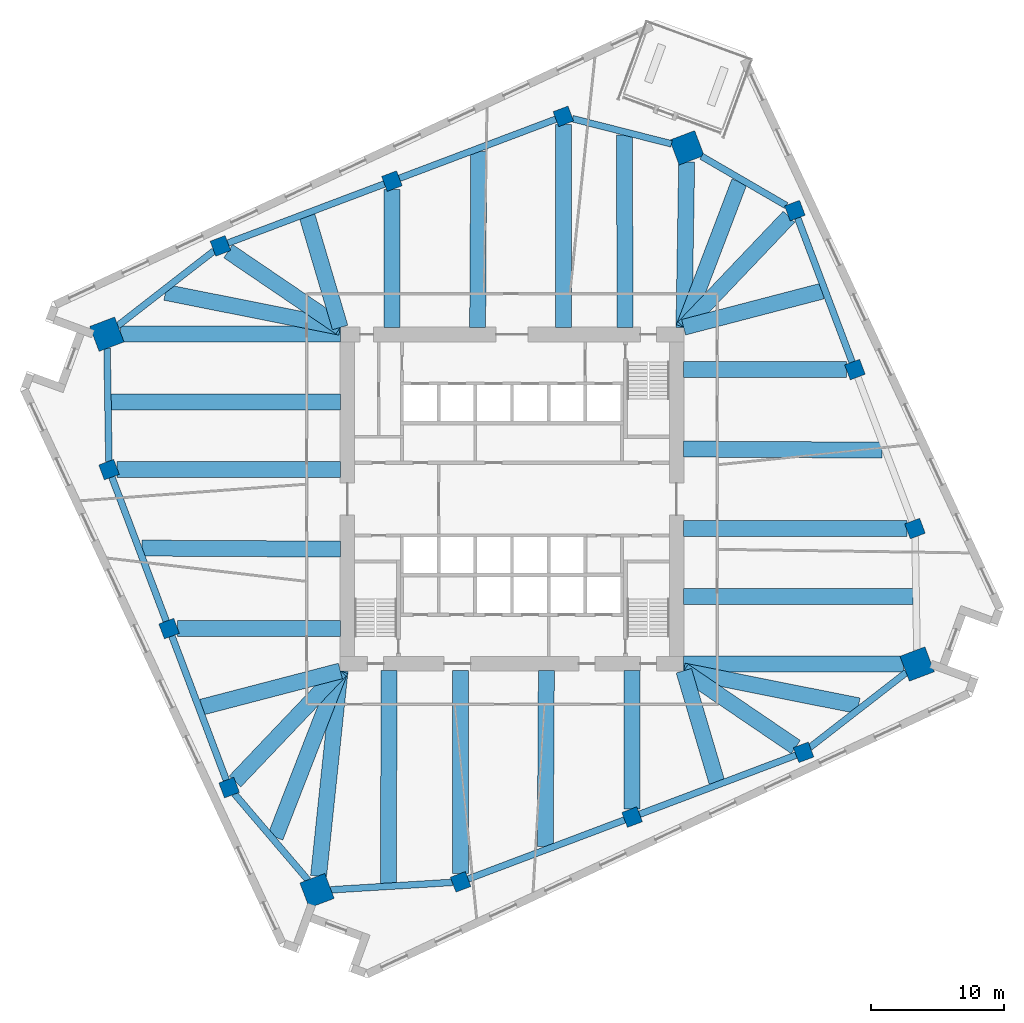
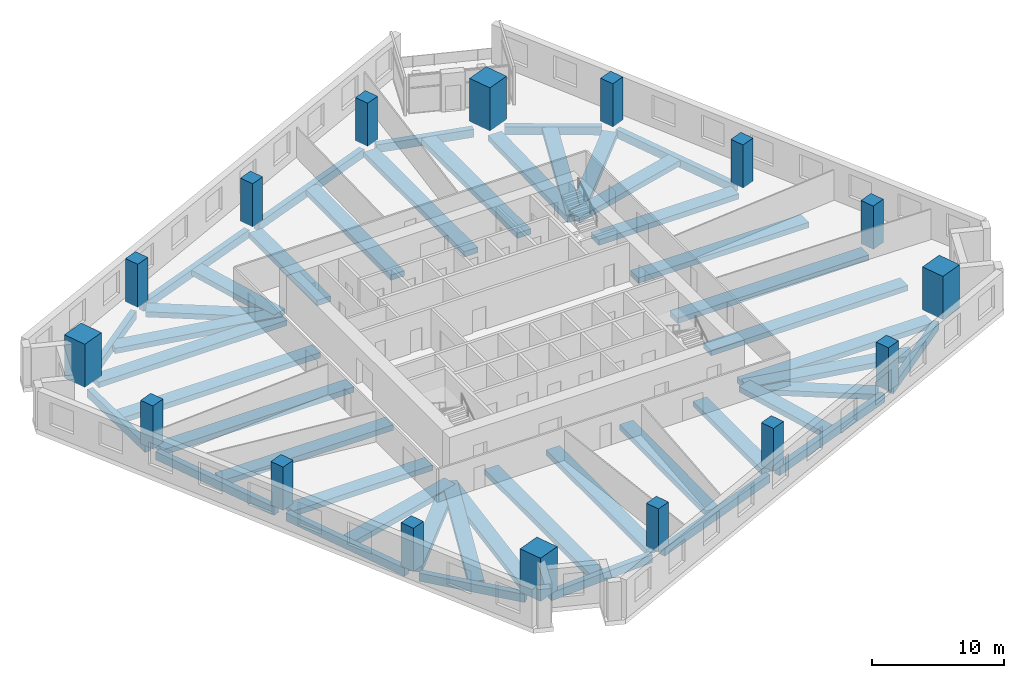
# One storey, part 1 of 12: 46 beams, 16 columns.
"""IFC4 building model written with IfcOpenShell, lengths in metres."""

from ifc_helpers import new_model, si_unit, direction, frame, origin, origin_2d, place, context, subcontext, project, spatial, rectangle, extrude, material, material_profile, profile_set, type_object, element, save


model = new_model("IFC4")

# Units and contexts
model_context = context("Model", 3, precision=1e-05, world=origin(), true_north=direction((0.0, 1.0)))
body_context = subcontext(model_context, "Body", "Model", "MODEL_VIEW")
ifc_project = project(units=[si_unit("LENGTHUNIT", "METRE"), si_unit("AREAUNIT", "SQUARE_METRE"), si_unit("VOLUMEUNIT", "CUBIC_METRE"), si_unit("PLANEANGLEUNIT", "RADIAN"), si_unit("MASSUNIT", "GRAM", prefix="KILO")], contexts=[model_context])

# Site, building, storey
site_placement = place(None, origin())
site = spatial("IfcSite", under=ifc_project, at=site_placement, CompositionType="ELEMENT")
building_placement = place(site_placement, origin())
building = spatial("IfcBuilding", under=site, at=building_placement, Name="Dilmun Exchange Tower", CompositionType="ELEMENT")
storey_placement = place(building_placement, frame((0.0, 0.0, 122.10009765625)))
storey = spatial("IfcBuildingStorey", under=building, at=storey_placement, Name="L28", CompositionType="ELEMENT", Elevation=122.10009765625)

# Columns
ifc_material_1 = material(Name="Concrete C70/85", Category="concrete")
ifc_material_profile_1 = material_profile(ifc_material_1, rectangle(XDim=2.0, YDim=2.0, at=origin_2d()), Name="2000 x 2000")
ifc_profile_set_1 = profile_set([ifc_material_profile_1], Name="Concrete C70/85")
column_type_1 = type_object("IfcColumnType", Name="RC mega column 2000 x 2000 C70/85", PredefinedType="COLUMN", material=ifc_profile_set_1)
for number, where, z_axis, x_axis, name in (
    (1, (13.1220703125, 26.35400390625, 0.0), (0.0, 0.0, 1.0), (0.935491525991, 0.353349125935, 0.0), "Mega column M1"),
    (2, (-30.39404296875, 12.37109375, 0.0), (0.0, 0.0, 1.0), (0.935491525991, 0.353349125935, 0.0), "Mega column M2"),
    (3, (-14.6259765625, -29.3759765625, 0.0), (0.0, 0.0, 1.0), (0.935491525991, 0.353349125935, 0.0), "Mega column M3"),
    (4, (30.39404296875, -12.37109375, 0.0), (0.0, 0.0, 1.0), (0.935491525991, 0.353349125935, 0.0), "Mega column M4"),
):
    element("IfcColumn", number, at=place(storey_placement, frame(where, z_axis=z_axis, x_axis=x_axis)), inside=storey, type_object=column_type_1, Name=name, PredefinedType="COLUMN", context=body_context, shape_type="SweptSolid", body=[
        extrude(rectangle(XDim=2.0, YDim=2.0, at=origin_2d()), origin(), (0.0, 0.0, 1.0), 4.0),
    ])
ifc_material_profile_2 = material_profile(ifc_material_1, rectangle(XDim=1.199951171875, YDim=1.199951171875, at=origin_2d()), Name="1200 x 1200")
ifc_profile_set_2 = profile_set([ifc_material_profile_2], Name="Concrete C70/85")
column_type_2 = type_object("IfcColumnType", Name="RC ring column 1200 x 1200 C70/85", PredefinedType="COLUMN", material=ifc_profile_set_2)
for number, where, z_axis, x_axis, name in (
    (5, (3.85302734375, 28.714111328125, 0.0), (0.0, 0.0, 1.0), (0.935491525991, 0.353349125935, 0.0), "Ring column R01"),
    (6, (-9.010009765625, 23.85498046875, 0.0), (0.0, 0.0, 1.0), (0.935491525991, 0.353349125935, 0.0), "Ring column R02"),
    (7, (-21.873046875, 18.99609375, 0.0), (0.0, 0.0, 1.0), (0.935491525991, 0.353349125935, 0.0), "Ring column R03"),
    (8, (-30.23095703125, 2.2099609375, 0.0), (0.0, 0.0, 1.0), (0.935491525991, 0.353349125935, 0.0), "Ring column R04"),
    (9, (-25.72607421875, -9.717041015625, 0.0), (0.0, 0.0, 1.0), (0.935491525991, 0.353349125935, 0.0), "Ring column R05"),
    (10, (-21.220947265625, -21.64501953125, 0.0), (0.0, 0.0, 1.0), (0.935491525991, 0.353349125935, 0.0), "Ring column R06"),
    (11, (-3.85302734375, -28.714111328125, 0.0), (0.0, 0.0, 1.0), (0.935491525991, 0.353349125935, 0.0), "Ring column R07"),
    (12, (9.010009765625, -23.85498046875, 0.0), (0.0, 0.0, 1.0), (0.935491525991, 0.353349125935, 0.0), "Ring column R08"),
    (13, (21.873046875, -18.99609375, 0.0), (0.0, 0.0, 1.0), (0.935491525991, 0.353349125935, 0.0), "Ring column R09"),
    (14, (30.23095703125, -2.2099609375, 0.0), (0.0, 0.0, 1.0), (0.935491525991, 0.353349125935, 0.0), "Ring column R10"),
    (15, (25.72607421875, 9.717041015625, 0.0), (0.0, 0.0, 1.0), (0.935491525991, 0.353349125935, 0.0), "Ring column R11"),
    (16, (21.220947265625, 21.64501953125, 0.0), (0.0, 0.0, 1.0), (0.935491525991, 0.353349125935, 0.0), "Ring column R12"),
):
    element("IfcColumn", number, at=place(storey_placement, frame(where, z_axis=z_axis, x_axis=x_axis)), inside=storey, type_object=column_type_2, Name=name, PredefinedType="COLUMN", context=body_context, shape_type="SweptSolid", body=[
        extrude(rectangle(XDim=1.199951171875, YDim=1.199951171875, at=origin_2d()), origin(), (0.0, 0.0, 1.0), 4.0),
    ])

# Beams
ifc_material_2 = material(Name="Concrete C40/50", Category="concrete")
ifc_material_profile_3 = material_profile(ifc_material_2, rectangle(XDim=1.199951171875, YDim=0.5, at=origin_2d()), Name="1200 x 500")
ifc_profile_set_3 = profile_set([ifc_material_profile_3], Name="Concrete C40/50")
beam_type_1 = type_object("IfcBeamType", Name="RC band beam 1200 x 500 C40/50", PredefinedType="BEAM", material=ifc_profile_set_3)
beam_1_placement = place(storey_placement, frame((13.104736328125, 25.305419921875, -0.77001953125), z_axis=(-0.016493249431, -0.99986397711, 0.0), x_axis=(0.99986397711, -0.016493249431, 0.0)))
element("IfcBeam", 17, at=beam_1_placement, inside=storey, type_object=beam_type_1, Name="Band beam 1", PredefinedType="BEAM", context=body_context, shape_type="SweptSolid", body=[
    extrude(rectangle(XDim=1.199951171875, YDim=0.5, at=origin_2d()), origin(), (0.0, 0.0, 1.0), 12.43408203125),
])
beam_2_placement = place(storey_placement, frame((3.85302734375, 28.099609375, -0.77001953125), z_axis=(0.0, -1.0, 0.0), x_axis=(1.0, 0.0, 0.0)))
element("IfcBeam", 18, at=beam_2_placement, inside=storey, type_object=beam_type_1, Name="Band beam 2", PredefinedType="BEAM", context=body_context, shape_type="SweptSolid", body=[
    extrude(rectangle(XDim=1.199951171875, YDim=0.5, at=origin_2d()), origin(), (0.0, 0.0, 1.0), 15.2265625),
])
beam_3_placement = place(storey_placement, frame((-9.010009765625, 23.240478515625, -0.77001953125), z_axis=(0.0, -1.0, 0.0), x_axis=(1.0, 0.0, 0.0)))
element("IfcBeam", 19, at=beam_3_placement, inside=storey, type_object=beam_type_1, Name="Band beam 3", PredefinedType="BEAM", context=body_context, shape_type="SweptSolid", body=[
    extrude(rectangle(XDim=1.199951171875, YDim=0.5, at=origin_2d()), origin(), (0.0, 0.0, 1.0), 10.367431640625),
])
beam_4_placement = place(storey_placement, frame((-21.28857421875, 18.59912109375, -0.77001953125), z_axis=(0.827157308771, -0.561970449888, 0.0), x_axis=(0.561970449888, 0.827157308771, 0.0)))
element("IfcBeam", 20, at=beam_4_placement, inside=storey, type_object=beam_type_1, Name="Band beam 4", PredefinedType="BEAM", context=body_context, shape_type="SweptSolid", body=[
    extrude(rectangle(XDim=1.199951171875, YDim=0.5, at=origin_2d()), origin(), (0.0, 0.0, 1.0), 10.16845703125),
])
beam_5_placement = place(storey_placement, frame((-29.35205078125, 12.37109375, -0.77001953125), z_axis=(1.0, 0.0, 0.0), x_axis=(0.0, 1.0, 0.0)))
element("IfcBeam", 21, at=beam_5_placement, inside=storey, type_object=beam_type_1, Name="Band beam 5", PredefinedType="BEAM", context=body_context, shape_type="SweptSolid", body=[
    extrude(rectangle(XDim=1.199951171875, YDim=0.5, at=origin_2d()), origin(), (0.0, 0.0, 1.0), 16.47900390625),
])
beam_6_placement = place(storey_placement, frame((-29.61669921875, 2.2099609375, -0.77001953125), z_axis=(1.0, 0.0, 0.0), x_axis=(0.0, 1.0, 0.0)))
element("IfcBeam", 22, at=beam_6_placement, inside=storey, type_object=beam_type_1, Name="Band beam 6", PredefinedType="BEAM", context=body_context, shape_type="SweptSolid", body=[
    extrude(rectangle(XDim=1.199951171875, YDim=0.5, at=origin_2d()), origin(), (0.0, 0.0, 1.0), 16.74365234375),
])
beam_7_placement = place(storey_placement, frame((-25.111572265625, -9.717041015625, -0.77001953125), z_axis=(1.0, 0.0, 0.0), x_axis=(0.0, 1.0, 0.0)))
element("IfcBeam", 23, at=beam_7_placement, inside=storey, type_object=beam_type_1, Name="Band beam 7", PredefinedType="BEAM", context=body_context, shape_type="SweptSolid", body=[
    extrude(rectangle(XDim=1.199951171875, YDim=0.5, at=origin_2d()), origin(), (0.0, 0.0, 1.0), 12.238525390625),
])
beam_8_placement = place(storey_placement, frame((-20.780517578125, -21.181884765625, -0.77001953125), z_axis=(0.689333244672, 0.724444392476, 0.0), x_axis=(-0.724444392476, 0.689333244672, 0.0)))
element("IfcBeam", 24, at=beam_8_placement, inside=storey, type_object=beam_type_1, Name="Band beam 8", PredefinedType="BEAM", context=body_context, shape_type="SweptSolid", body=[
    extrude(rectangle(XDim=1.199951171875, YDim=0.5, at=origin_2d()), origin(), (0.0, 0.0, 1.0), 11.459228515625),
])
beam_9_placement = place(storey_placement, frame((-14.51220703125, -28.289794921875, -0.77001953125), z_axis=(0.104185478447, 0.994557884731, 0.0), x_axis=(-0.994557884731, 0.104185478447, 0.0)))
element("IfcBeam", 25, at=beam_9_placement, inside=storey, type_object=beam_type_1, Name="Band beam 9", PredefinedType="BEAM", context=body_context, shape_type="SweptSolid", body=[
    extrude(rectangle(XDim=1.199951171875, YDim=0.5, at=origin_2d()), origin(), (0.0, 0.0, 1.0), 15.501220703125),
])
beam_10_placement = place(storey_placement, frame((-3.85302734375, -28.099609375, -0.77001953125), z_axis=(0.0, 1.0, 0.0), x_axis=(-1.0, 0.0, 0.0)))
element("IfcBeam", 26, at=beam_10_placement, inside=storey, type_object=beam_type_1, Name="Band beam 10", PredefinedType="BEAM", context=body_context, shape_type="SweptSolid", body=[
    extrude(rectangle(XDim=1.199951171875, YDim=0.5, at=origin_2d()), origin(), (0.0, 0.0, 1.0), 15.2265625),
])
beam_11_placement = place(storey_placement, frame((9.010009765625, -23.240478515625, -0.77001953125), z_axis=(0.0, 1.0, 0.0), x_axis=(-1.0, 0.0, 0.0)))
element("IfcBeam", 27, at=beam_11_placement, inside=storey, type_object=beam_type_1, Name="Band beam 11", PredefinedType="BEAM", context=body_context, shape_type="SweptSolid", body=[
    extrude(rectangle(XDim=1.199951171875, YDim=0.5, at=origin_2d()), origin(), (0.0, 0.0, 1.0), 10.367431640625),
])
beam_12_placement = place(storey_placement, frame((21.28857421875, -18.59912109375, -0.77001953125), z_axis=(-0.827157308771, 0.561970449888, 0.0), x_axis=(-0.561970449888, -0.827157308771, 0.0)))
element("IfcBeam", 28, at=beam_12_placement, inside=storey, type_object=beam_type_1, Name="Band beam 12", PredefinedType="BEAM", context=body_context, shape_type="SweptSolid", body=[
    extrude(rectangle(XDim=1.199951171875, YDim=0.5, at=origin_2d()), origin(), (0.0, 0.0, 1.0), 10.16845703125),
])
beam_13_placement = place(storey_placement, frame((29.35205078125, -12.37109375, -0.77001953125), z_axis=(-1.0, 0.0, 0.0), x_axis=(0.0, -1.0, 0.0)))
element("IfcBeam", 29, at=beam_13_placement, inside=storey, type_object=beam_type_1, Name="Band beam 13", PredefinedType="BEAM", context=body_context, shape_type="SweptSolid", body=[
    extrude(rectangle(XDim=1.199951171875, YDim=0.5, at=origin_2d()), origin(), (0.0, 0.0, 1.0), 16.47900390625),
])
beam_14_placement = place(storey_placement, frame((29.61669921875, -2.2099609375, -0.77001953125), z_axis=(-1.0, 0.0, 0.0), x_axis=(0.0, -1.0, 0.0)))
element("IfcBeam", 30, at=beam_14_placement, inside=storey, type_object=beam_type_1, Name="Band beam 14", PredefinedType="BEAM", context=body_context, shape_type="SweptSolid", body=[
    extrude(rectangle(XDim=1.199951171875, YDim=0.5, at=origin_2d()), origin(), (0.0, 0.0, 1.0), 16.74365234375),
])
beam_15_placement = place(storey_placement, frame((25.111572265625, 9.717041015625, -0.77001953125), z_axis=(-1.0, 0.0, 0.0), x_axis=(0.0, -1.0, 0.0)))
element("IfcBeam", 31, at=beam_15_placement, inside=storey, type_object=beam_type_1, Name="Band beam 15", PredefinedType="BEAM", context=body_context, shape_type="SweptSolid", body=[
    extrude(rectangle(XDim=1.199951171875, YDim=0.5, at=origin_2d()), origin(), (0.0, 0.0, 1.0), 12.238525390625),
])
beam_16_placement = place(storey_placement, frame((20.780517578125, 21.181884765625, -0.77001953125), z_axis=(-0.689333244672, -0.724444392476, 0.0), x_axis=(0.724444392476, -0.689333244672, 0.0)))
element("IfcBeam", 32, at=beam_16_placement, inside=storey, type_object=beam_type_1, Name="Band beam 16", PredefinedType="BEAM", context=body_context, shape_type="SweptSolid", body=[
    extrude(rectangle(XDim=1.199951171875, YDim=0.5, at=origin_2d()), origin(), (0.0, 0.0, 1.0), 11.459228515625),
])
beam_17_placement = place(storey_placement, frame((8.4326171875, 27.31787109375, -0.670166015625), z_axis=(0.003802832253, -0.999992769207, 0.0), x_axis=(0.999992769207, 0.003802832253, 0.0)))
element("IfcBeam", 33, at=beam_17_placement, inside=storey, type_object=beam_type_1, Name="Band beam 17", PredefinedType="BEAM", context=body_context, shape_type="SweptSolid", body=[
    extrude(rectangle(XDim=1.199951171875, YDim=0.5, at=origin_2d()), origin(), (0.0, 0.0, 1.0), 14.44482421875),
])
beam_18_placement = place(storey_placement, frame((-2.499755859375, 26.075927734375, -0.670166015625), z_axis=(-0.005972637047, -0.999982163644, 0.0), x_axis=(0.999982163644, -0.005972637047, 0.0)))
element("IfcBeam", 34, at=beam_18_placement, inside=storey, type_object=beam_type_1, Name="Band beam 18", PredefinedType="BEAM", context=body_context, shape_type="SweptSolid", body=[
    extrude(rectangle(XDim=1.199951171875, YDim=0.5, at=origin_2d()), origin(), (0.0, 0.0, 1.0), 13.203125),
])
beam_19_placement = place(storey_placement, frame((-15.36279296875, 21.216796875, -0.670166015625), z_axis=(0.283932601838, -0.958844240538, 0.0), x_axis=(0.958844240538, 0.283932601838, 0.0)))
element("IfcBeam", 35, at=beam_19_placement, inside=storey, type_object=beam_type_1, Name="Band beam 19", PredefinedType="BEAM", context=body_context, shape_type="SweptSolid", body=[
    extrude(rectangle(XDim=1.199951171875, YDim=0.5, at=origin_2d()), origin(), (0.0, 0.0, 1.0), 8.700927734375),
])
beam_20_placement = place(storey_placement, frame((-25.99658203125, 15.50732421875, -0.670166015625), z_axis=(0.980746640289, -0.19528447855, 0.0), x_axis=(0.19528447855, 0.980746640289, 0.0)))
element("IfcBeam", 36, at=beam_20_placement, inside=storey, type_object=beam_type_1, Name="Band beam 20", PredefinedType="BEAM", context=body_context, shape_type="SweptSolid", body=[
    extrude(rectangle(XDim=1.199951171875, YDim=0.5, at=origin_2d()), origin(), (0.0, 0.0, 1.0), 13.380615234375),
])
beam_21_placement = place(storey_placement, frame((-30.089599609375, 7.294189453125, -0.670166015625), z_axis=(0.999999977378, -0.000212708627, 0.0), x_axis=(0.000212708627, 0.999999977378, 0.0)))
element("IfcBeam", 37, at=beam_21_placement, inside=storey, type_object=beam_type_1, Name="Band beam 21", PredefinedType="BEAM", context=body_context, shape_type="SweptSolid", body=[
    extrude(rectangle(XDim=1.199951171875, YDim=0.5, at=origin_2d()), origin(), (0.0, 0.0, 1.0), 17.216552734375),
])
beam_22_placement = place(storey_placement, frame((-27.77001953125, -3.6748046875, -0.670166015625), z_axis=(0.999986076233, -0.005277057861, 0.0), x_axis=(0.005277057861, 0.999986076233, 0.0)))
element("IfcBeam", 38, at=beam_22_placement, inside=storey, type_object=beam_type_1, Name="Band beam 22", PredefinedType="BEAM", context=body_context, shape_type="SweptSolid", body=[
    extrude(rectangle(XDim=1.199951171875, YDim=0.5, at=origin_2d()), origin(), (0.0, 0.0, 1.0), 14.897216796875),
])
beam_23_placement = place(storey_placement, frame((-23.264892578125, -15.602294921875, -0.670166015625), z_axis=(0.967651305888, 0.252291399404, 0.0), x_axis=(-0.252291399404, 0.967651305888, 0.0)))
element("IfcBeam", 39, at=beam_23_placement, inside=storey, type_object=beam_type_1, Name="Band beam 23", PredefinedType="BEAM", context=body_context, shape_type="SweptSolid", body=[
    extrude(rectangle(XDim=1.199951171875, YDim=0.5, at=origin_2d()), origin(), (0.0, 0.0, 1.0), 10.738525390625),
])
beam_24_placement = place(storey_placement, frame((-17.75390625, -25.36572265625, -0.670166015625), z_axis=(0.362868113779, 0.931840507814, 0.0), x_axis=(-0.931840507814, 0.362868113779, 0.0)))
element("IfcBeam", 40, at=beam_24_placement, inside=storey, type_object=beam_type_1, Name="Band beam 24", PredefinedType="BEAM", context=body_context, shape_type="SweptSolid", body=[
    extrude(rectangle(XDim=1.199951171875, YDim=0.5, at=origin_2d()), origin(), (0.0, 0.0, 1.0), 13.404296875),
])
beam_25_placement = place(storey_placement, frame((-9.253173828125, -28.822509765625, -0.670166015625), z_axis=(0.000857199397, 0.999999632605, 0.0), x_axis=(-0.999999632605, 0.000857199397, 0.0)))
element("IfcBeam", 41, at=beam_25_placement, inside=storey, type_object=beam_type_1, Name="Band beam 25", PredefinedType="BEAM", context=body_context, shape_type="SweptSolid", body=[
    extrude(rectangle(XDim=1.199951171875, YDim=0.5, at=origin_2d()), origin(), (0.0, 0.0, 1.0), 15.949462890625),
])
beam_26_placement = place(storey_placement, frame((2.499755859375, -26.075927734375, -0.670166015625), z_axis=(0.005972637047, 0.999982163644, 0.0), x_axis=(-0.999982163644, 0.005972637047, 0.0)))
element("IfcBeam", 42, at=beam_26_placement, inside=storey, type_object=beam_type_1, Name="Band beam 26", PredefinedType="BEAM", context=body_context, shape_type="SweptSolid", body=[
    extrude(rectangle(XDim=1.199951171875, YDim=0.5, at=origin_2d()), origin(), (0.0, 0.0, 1.0), 13.203125),
])
beam_27_placement = place(storey_placement, frame((15.36279296875, -21.216796875, -0.670166015625), z_axis=(-0.283932601838, 0.958844240538, 0.0), x_axis=(-0.958844240538, -0.283932601838, 0.0)))
element("IfcBeam", 43, at=beam_27_placement, inside=storey, type_object=beam_type_1, Name="Band beam 27", PredefinedType="BEAM", context=body_context, shape_type="SweptSolid", body=[
    extrude(rectangle(XDim=1.199951171875, YDim=0.5, at=origin_2d()), origin(), (0.0, 0.0, 1.0), 8.700927734375),
])
beam_28_placement = place(storey_placement, frame((25.99658203125, -15.50732421875, -0.670166015625), z_axis=(-0.980746640289, 0.19528447855, 0.0), x_axis=(-0.19528447855, -0.980746640289, 0.0)))
element("IfcBeam", 44, at=beam_28_placement, inside=storey, type_object=beam_type_1, Name="Band beam 28", PredefinedType="BEAM", context=body_context, shape_type="SweptSolid", body=[
    extrude(rectangle(XDim=1.199951171875, YDim=0.5, at=origin_2d()), origin(), (0.0, 0.0, 1.0), 13.380615234375),
])
beam_29_placement = place(storey_placement, frame((30.089599609375, -7.294189453125, -0.670166015625), z_axis=(-0.999999977378, 0.000212708627, 0.0), x_axis=(-0.000212708627, -0.999999977378, 0.0)))
element("IfcBeam", 45, at=beam_29_placement, inside=storey, type_object=beam_type_1, Name="Band beam 29", PredefinedType="BEAM", context=body_context, shape_type="SweptSolid", body=[
    extrude(rectangle(XDim=1.199951171875, YDim=0.5, at=origin_2d()), origin(), (0.0, 0.0, 1.0), 17.216552734375),
])
beam_30_placement = place(storey_placement, frame((27.77001953125, 3.6748046875, -0.670166015625), z_axis=(-0.999986076233, 0.005277057861, 0.0), x_axis=(-0.005277057861, -0.999986076233, 0.0)))
element("IfcBeam", 46, at=beam_30_placement, inside=storey, type_object=beam_type_1, Name="Band beam 30", PredefinedType="BEAM", context=body_context, shape_type="SweptSolid", body=[
    extrude(rectangle(XDim=1.199951171875, YDim=0.5, at=origin_2d()), origin(), (0.0, 0.0, 1.0), 14.897216796875),
])
beam_31_placement = place(storey_placement, frame((23.264892578125, 15.602294921875, -0.670166015625), z_axis=(-0.967651305888, -0.252291399404, 0.0), x_axis=(0.252291399404, -0.967651305888, 0.0)))
element("IfcBeam", 47, at=beam_31_placement, inside=storey, type_object=beam_type_1, Name="Band beam 31", PredefinedType="BEAM", context=body_context, shape_type="SweptSolid", body=[
    extrude(rectangle(XDim=1.199951171875, YDim=0.5, at=origin_2d()), origin(), (0.0, 0.0, 1.0), 10.738525390625),
])
beam_32_placement = place(storey_placement, frame((17.059326171875, 23.806640625, -0.670166015625), z_axis=(-0.356325045493, -0.934362061491, 0.0), x_axis=(0.934362061491, -0.356325045493, 0.0)))
element("IfcBeam", 48, at=beam_32_placement, inside=storey, type_object=beam_type_1, Name="Band beam 32", PredefinedType="BEAM", context=body_context, shape_type="SweptSolid", body=[
    extrude(rectangle(XDim=1.199951171875, YDim=0.5, at=origin_2d()), origin(), (0.0, 0.0, 1.0), 11.699951171875),
])
ifc_material_profile_4 = material_profile(ifc_material_2, rectangle(XDim=0.5, YDim=0.75, at=origin_2d()), Name="500 x 750")
ifc_profile_set_4 = profile_set([ifc_material_profile_4], Name="Concrete C40/50")
beam_type_2 = type_object("IfcBeamType", Name="RC ring beam 500 x 750 C40/50", PredefinedType="SPANDREL", material=ifc_profile_set_4)
beam_33_placement = place(storey_placement, frame((11.965576171875, 26.6484375, -0.795166015625), z_axis=(-0.969078622485, 0.246752149825, 0.0), x_axis=(-0.246752149825, -0.969078622485, 0.0)))
element("IfcBeam", 49, at=beam_33_placement, inside=storey, type_object=beam_type_2, Name="Ring beam 1", PredefinedType="SPANDREL", context=body_context, shape_type="SweptSolid", body=[
    extrude(rectangle(XDim=0.5, YDim=0.75, at=origin_2d()), origin(), (0.0, 0.0, 1.0), 7.666015625),
])
for number, where, z_axis, x_axis, name in (
    (50, (3.31689453125, 28.511474609375, -0.795166015625), (-0.935485896268, -0.353364030264, 0.0), (0.353364030264, -0.935485896268, 0.0), "Ring beam 2"),
    (51, (-9.5458984375, 23.652587890625, -0.795166015625), (-0.935479493126, -0.353380981294, 0.0), (0.353380981294, -0.935479493126, 0.0), "Ring beam 3"),
):
    element("IfcBeam", number, at=place(storey_placement, frame(where, z_axis=z_axis, x_axis=x_axis)), inside=storey, type_object=beam_type_2, Name=name, PredefinedType="SPANDREL", context=body_context, shape_type="SweptSolid", body=[
        extrude(rectangle(XDim=0.5, YDim=0.75, at=origin_2d()), origin(), (0.0, 0.0, 1.0), 12.604248046875),
    ])
beam_34_placement = place(storey_placement, frame((-22.347412109375, 18.627197265625, -0.795166015625), z_axis=(-0.789461122688, -0.613800566767, 0.0), x_axis=(0.613800566767, -0.789461122688, 0.0)))
element("IfcBeam", 52, at=beam_34_placement, inside=storey, type_object=beam_type_2, Name="Ring beam 4", PredefinedType="SPANDREL", context=body_context, shape_type="SweptSolid", body=[
    extrude(rectangle(XDim=0.5, YDim=0.75, at=origin_2d()), origin(), (0.0, 0.0, 1.0), 9.1728515625),
])
beam_35_placement = place(storey_placement, frame((-30.37744140625, 11.33544921875, -0.795166015625), z_axis=(0.016054357527, -0.999871120497, 0.0), x_axis=(0.999871120497, 0.016054357527, 0.0)))
element("IfcBeam", 53, at=beam_35_placement, inside=storey, type_object=beam_type_2, Name="Ring beam 5", PredefinedType="SPANDREL", context=body_context, shape_type="SweptSolid", body=[
    extrude(rectangle(XDim=0.5, YDim=0.75, at=origin_2d()), origin(), (0.0, 0.0, 1.0), 8.515869140625),
])
beam_36_placement = place(storey_placement, frame((-30.028564453125, 1.674072265625, -0.795166015625), z_axis=(0.353349831573, -0.935491259461, 0.0), x_axis=(0.935491259461, 0.353349831573, 0.0)))
element("IfcBeam", 54, at=beam_36_placement, inside=storey, type_object=beam_type_2, Name="Ring beam 6", PredefinedType="SPANDREL", context=body_context, shape_type="SweptSolid", body=[
    extrude(rectangle(XDim=0.5, YDim=0.75, at=origin_2d()), origin(), (0.0, 0.0, 1.0), 11.603515625),
])
beam_37_placement = place(storey_placement, frame((-25.5234375, -10.2529296875, -0.795166015625), z_axis=(0.353303601311, -0.935508720056, 0.0), x_axis=(0.935508720056, 0.353303601311, 0.0)))
element("IfcBeam", 55, at=beam_37_placement, inside=storey, type_object=beam_type_2, Name="Ring beam 7", PredefinedType="SPANDREL", context=body_context, shape_type="SweptSolid", body=[
    extrude(rectangle(XDim=0.5, YDim=0.75, at=origin_2d()), origin(), (0.0, 0.0, 1.0), 11.604248046875),
])
beam_38_placement = place(storey_placement, frame((-20.82470703125, -22.109619140625, -0.795166015625), z_axis=(0.64900225023, -0.76078648726, 0.0), x_axis=(0.76078648726, 0.64900225023, 0.0)))
element("IfcBeam", 56, at=beam_38_placement, inside=storey, type_object=beam_type_2, Name="Ring beam 8", PredefinedType="SPANDREL", context=body_context, shape_type="SweptSolid", body=[
    extrude(rectangle(XDim=0.5, YDim=0.75, at=origin_2d()), origin(), (0.0, 0.0, 1.0), 8.515625),
])
beam_39_placement = place(storey_placement, frame((-13.608154296875, -29.3134765625, -0.795166015625), z_axis=(0.998117890072, 0.061324363166, 0.0), x_axis=(-0.061324363166, 0.998117890072, 0.0)))
element("IfcBeam", 57, at=beam_39_placement, inside=storey, type_object=beam_type_2, Name="Ring beam 9", PredefinedType="SPANDREL", context=body_context, shape_type="SweptSolid", body=[
    extrude(rectangle(XDim=0.5, YDim=0.75, at=origin_2d()), origin(), (0.0, 0.0, 1.0), 9.172607421875),
])
for number, where, z_axis, x_axis, name in (
    (58, (-3.31689453125, -28.511474609375, -0.795166015625), (0.935485896268, 0.353364030264, 0.0), (-0.353364030264, 0.935485896268, 0.0), "Ring beam 10"),
    (59, (9.5458984375, -23.652587890625, -0.795166015625), (0.935479493126, 0.353380981294, 0.0), (-0.353380981294, 0.935479493126, 0.0), "Ring beam 11"),
):
    element("IfcBeam", number, at=place(storey_placement, frame(where, z_axis=z_axis, x_axis=x_axis)), inside=storey, type_object=beam_type_2, Name=name, PredefinedType="SPANDREL", context=body_context, shape_type="SweptSolid", body=[
        extrude(rectangle(XDim=0.5, YDim=0.75, at=origin_2d()), origin(), (0.0, 0.0, 1.0), 12.604248046875),
    ])
beam_40_placement = place(storey_placement, frame((22.347412109375, -18.627197265625, -0.795166015625), z_axis=(0.789461122688, 0.613800566767, 0.0), x_axis=(-0.613800566767, 0.789461122688, 0.0)))
element("IfcBeam", 60, at=beam_40_placement, inside=storey, type_object=beam_type_2, Name="Ring beam 12", PredefinedType="SPANDREL", context=body_context, shape_type="SweptSolid", body=[
    extrude(rectangle(XDim=0.5, YDim=0.75, at=origin_2d()), origin(), (0.0, 0.0, 1.0), 9.1728515625),
])
beam_41_placement = place(storey_placement, frame((25.5234375, 10.2529296875, -0.795166015625), z_axis=(-0.353303601311, 0.935508720056, 0.0), x_axis=(-0.935508720056, -0.353303601311, 0.0)))
element("IfcBeam", 61, at=beam_41_placement, inside=storey, type_object=beam_type_2, Name="Ring beam 15", PredefinedType="SPANDREL", context=body_context, shape_type="SweptSolid", body=[
    extrude(rectangle(XDim=0.5, YDim=0.75, at=origin_2d()), origin(), (0.0, 0.0, 1.0), 11.604248046875),
])
beam_42_placement = place(storey_placement, frame((20.57568359375, 22.020263671875, -0.795166015625), z_axis=(-0.864503499359, 0.50262679952, 0.0), x_axis=(-0.50262679952, -0.864503499359, 0.0)))
element("IfcBeam", 62, at=beam_42_placement, inside=storey, type_object=beam_type_2, Name="Ring beam 16", PredefinedType="SPANDREL", context=body_context, shape_type="SweptSolid", body=[
    extrude(rectangle(XDim=0.5, YDim=0.75, at=origin_2d()), origin(), (0.0, 0.0, 1.0), 7.35986328125),
])

save(model, "model.ifc")
